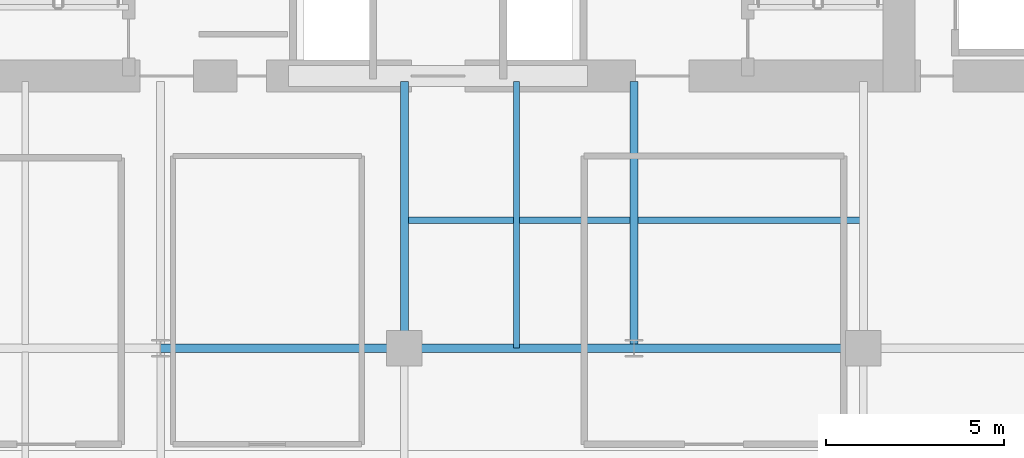
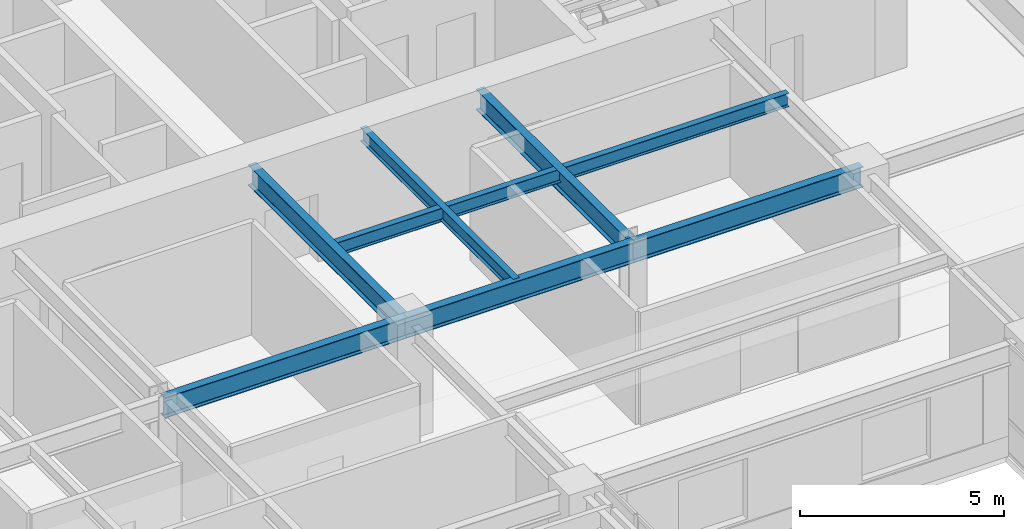
# One storey, part 6 of 25: 7 beams.
"""IFC4 building model written with IfcOpenShell, lengths in metres."""

from ifc_helpers import new_model, si_unit, direction, frame, origin, origin_2d, place, context, subcontext, project, spatial, i_section, extrude, source, transform, mapped, material, material_profile, profile_set, type_object, type_shapes, element, save


model = new_model("IFC4")

# Units and contexts
model_context = context("Model", 3, precision=1e-05, world=origin(), true_north=direction((0.0, 1.0)))
body_context = subcontext(model_context, "Body", "Model", "MODEL_VIEW")
ifc_project = project(units=[si_unit("LENGTHUNIT", "METRE"), si_unit("AREAUNIT", "SQUARE_METRE"), si_unit("VOLUMEUNIT", "CUBIC_METRE"), si_unit("PLANEANGLEUNIT", "RADIAN"), si_unit("MASSUNIT", "GRAM", prefix="KILO")], contexts=[model_context])

# Site, building, storey
site_placement = place(None, origin())
site = spatial("IfcSite", under=ifc_project, at=site_placement, CompositionType="ELEMENT")
building_placement = place(site_placement, origin())
building = spatial("IfcBuilding", under=site, at=building_placement, Name="Tolvann Quenvar Hotel", CompositionType="ELEMENT")
storey_placement = place(building_placement, frame((0.0, 0.0, 46.199951171875)))
storey = spatial("IfcBuildingStorey", under=building, at=storey_placement, Name="L10", CompositionType="ELEMENT", Elevation=46.199951171875)

# Beams
ifc_material = material(Name="Steel Grade 350", Category="steel")
ifc_material_profile_1 = material_profile(ifc_material, i_section(OverallWidth=0.22900390625, OverallDepth=0.612060546875, WebThickness=0.011962890625, FlangeThickness=0.01953125, FilletRadius=0.013916015625, at=origin_2d()), Name="610UB125")
ifc_profile_set_1 = profile_set([ifc_material_profile_1], Name="Steel Grade 350")
beam_type_1 = type_object("IfcBeamType", Name="BM_GIRD_610UB125", PredefinedType="BEAM", material=ifc_profile_set_1)
shared_shape_1 = source(origin(), body_context, "Body", "SweptSolid", [
    extrude(i_section(OverallWidth=0.22900390625, OverallDepth=0.612060546875, WebThickness=0.011962890625, FlangeThickness=0.01953125, FilletRadius=0.013916015625, at=origin_2d()), origin(), (0.0, 0.0, 1.0), 6.85009765625),
])
beam_1_placement = place(storey_placement, frame((15.199951171875, 24.39990234375, 3.06396484375), z_axis=(1.0, 0.0, 0.0), x_axis=(0.0, 1.0, 0.0)))
element("IfcBeam", 1, at=beam_1_placement, inside=storey, type_object=beam_type_1, Name="BM-L10-EW-5-D5-E5", PredefinedType="BEAM", context=body_context, shape_type="MappedRepresentation", body=[
    mapped(shared_shape_1, transform((0.0, 0.0, 0.0), x_axis=(1.0, 0.0, 0.0), y_axis=(0.0, 1.0, 0.0), z_axis=(0.0, 0.0, 1.0), scale=1.0)),
])
shared_shape_2 = source(origin(), body_context, "Body", "SweptSolid", [
    extrude(i_section(OverallWidth=0.22900390625, OverallDepth=0.612060546875, WebThickness=0.011962890625, FlangeThickness=0.01953125, FilletRadius=0.013916015625, at=origin_2d()), origin(), (0.0, 0.0, 1.0), 6.449951171875),
])
for number, where, z_axis, x_axis, name in (
    (2, (22.050048828125, 24.39990234375, 3.06396484375), (1.0, 0.0, 0.0), (0.0, 1.0, 0.0), "BM-L10-EW-5-E5-M5"),
    (3, (28.5, 24.39990234375, 3.06396484375), (1.0, 0.0, 0.0), (0.0, 1.0, 0.0), "BM-L10-EW-5-M5-F5"),
):
    element("IfcBeam", number, at=place(storey_placement, frame(where, z_axis=z_axis, x_axis=x_axis)), inside=storey, type_object=beam_type_1, Name=name, PredefinedType="BEAM", context=body_context, shape_type="MappedRepresentation", body=[
        mapped(shared_shape_2, transform((0.0, 0.0, 0.0), x_axis=(1.0, 0.0, 0.0), y_axis=(0.0, 1.0, 0.0), z_axis=(0.0, 0.0, 1.0), scale=1.0)),
    ])
shared_shape_3 = source(origin(), body_context, "Body", "SweptSolid", [
    extrude(i_section(OverallWidth=0.22900390625, OverallDepth=0.612060546875, WebThickness=0.011962890625, FlangeThickness=0.01953125, FilletRadius=0.013916015625, at=origin_2d()), origin(), (0.0, 0.0, 1.0), 7.5),
])
type_shapes(beam_type_1, [shared_shape_1, shared_shape_2, shared_shape_3])
for number, where, z_axis, x_axis, name in (
    (4, (22.050048828125, 24.39990234375, 3.06396484375), (0.0, 1.0, 0.0), (-1.0, 0.0, 0.0), "BM-L10-CORE-E5"),
    (5, (28.5, 24.39990234375, 3.06396484375), (0.0, 1.0, 0.0), (-1.0, 0.0, 0.0), "BM-L10-CORE-M5"),
):
    element("IfcBeam", number, at=place(storey_placement, frame(where, z_axis=z_axis, x_axis=x_axis)), inside=storey, type_object=beam_type_1, Name=name, PredefinedType="BEAM", context=body_context, shape_type="MappedRepresentation", body=[
        mapped(shared_shape_3, transform((0.0, 0.0, 0.0), x_axis=(1.0, 0.0, 0.0), y_axis=(0.0, 1.0, 0.0), z_axis=(0.0, 0.0, 1.0), scale=1.0)),
    ])
ifc_material_profile_2 = material_profile(ifc_material, i_section(OverallWidth=0.177978515625, OverallDepth=0.406005859375, WebThickness=0.0078125, FlangeThickness=0.0126953125, FilletRadius=0.011474609375, at=origin_2d()), Name="410UB60")
ifc_profile_set_2 = profile_set([ifc_material_profile_2], Name="Steel Grade 350")
beam_type_2 = type_object("IfcBeamType", Name="BM_JOIST_410UB60", PredefinedType="JOIST", material=ifc_profile_set_2)
shared_shape_4 = source(origin(), body_context, "Body", "SweptSolid", [
    extrude(i_section(OverallWidth=0.177978515625, OverallDepth=0.406005859375, WebThickness=0.0078125, FlangeThickness=0.0126953125, FilletRadius=0.011474609375, at=origin_2d()), origin(), (0.0, 0.0, 1.0), 12.89990234375),
])
beam_2_placement = place(storey_placement, frame((22.050048828125, 28.0, 3.1669921875), z_axis=(1.0, 0.0, 0.0), x_axis=(0.0, 1.0, 0.0)))
element("IfcBeam", 6, at=beam_2_placement, inside=storey, type_object=beam_type_2, Name="BM-L10-SPINE-28", PredefinedType="JOIST", context=body_context, shape_type="MappedRepresentation", body=[
    mapped(shared_shape_4, transform((0.0, 0.0, 0.0), x_axis=(1.0, 0.0, 0.0), y_axis=(0.0, 1.0, 0.0), z_axis=(0.0, 0.0, 1.0), scale=1.0)),
])
shared_shape_5 = source(origin(), body_context, "Body", "SweptSolid", [
    extrude(i_section(OverallWidth=0.177978515625, OverallDepth=0.406005859375, WebThickness=0.0078125, FlangeThickness=0.0126953125, FilletRadius=0.011474609375, at=origin_2d()), origin(), (0.0, 0.0, 1.0), 7.5),
])
type_shapes(beam_type_2, [shared_shape_4, shared_shape_5])
beam_3_placement = place(storey_placement, frame((25.199951171875, 24.39990234375, 3.1669921875), z_axis=(0.0, 1.0, 0.0), x_axis=(-1.0, 0.0, 0.0)))
element("IfcBeam", 7, at=beam_3_placement, inside=storey, type_object=beam_type_2, Name="BJ-L10-252-244", PredefinedType="JOIST", context=body_context, shape_type="MappedRepresentation", body=[
    mapped(shared_shape_5, transform((0.0, 0.0, 0.0), x_axis=(1.0, 0.0, 0.0), y_axis=(0.0, 1.0, 0.0), z_axis=(0.0, 0.0, 1.0), scale=1.0)),
])

save(model, "model.ifc")
